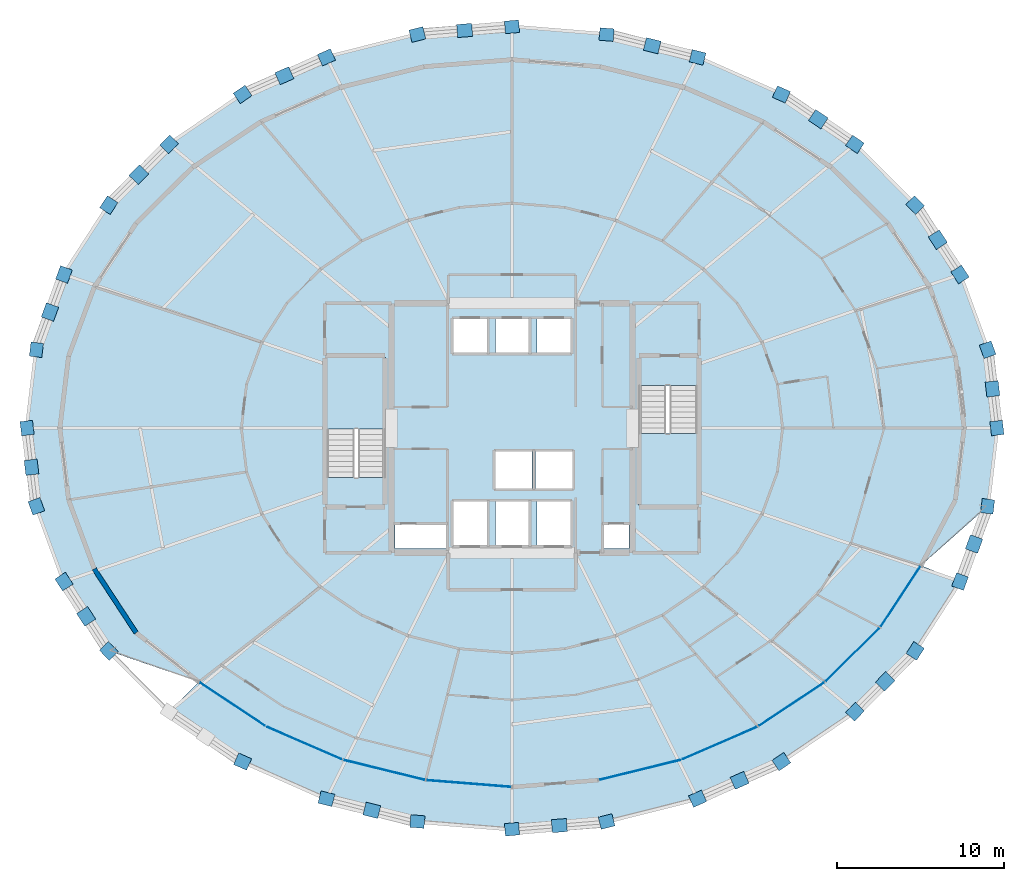
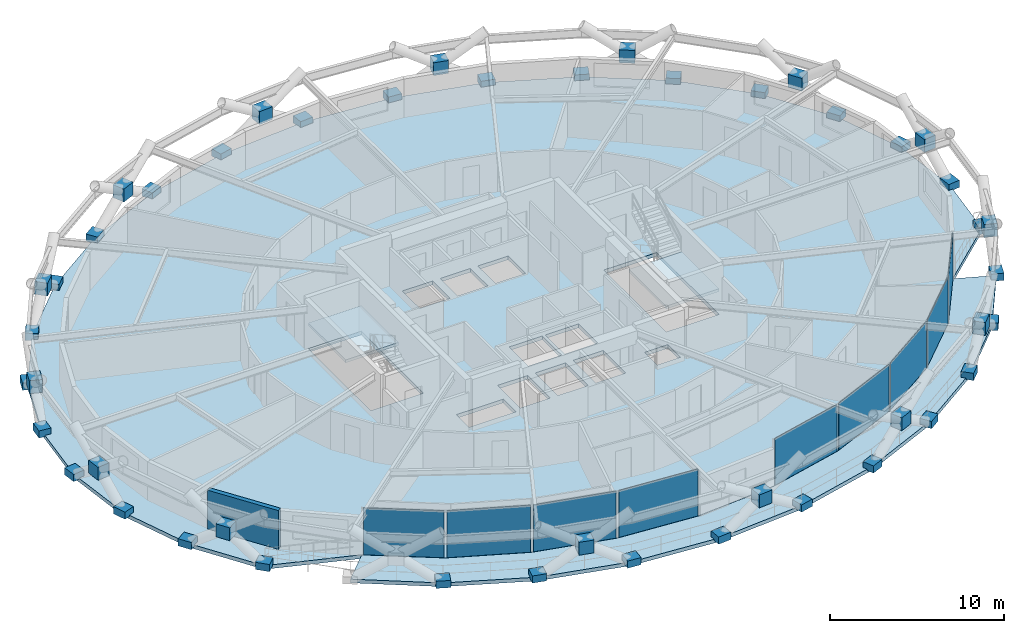
# One storey, part 14 of 21: 55 plates, 4 slabs, 1 wall, 4 elements without a shape of their own.
"""IFC4 building model written with IfcOpenShell, lengths in metres."""

from ifc_helpers import new_model, si_unit, direction, frame, frame_2d, origin, origin_2d, place, context, subcontext, project, spatial, polyline, rectangle, outline, extrude, material, layer, layer_set, type_object, element, aggregate, save


model = new_model("IFC4")

# Units and contexts
model_context = context("Model", 3, precision=1e-05, world=origin(), true_north=direction((0.0, 1.0)))
body_context = subcontext(model_context, "Body", "Model", "MODEL_VIEW")
ifc_project = project(units=[si_unit("LENGTHUNIT", "METRE"), si_unit("AREAUNIT", "SQUARE_METRE"), si_unit("VOLUMEUNIT", "CUBIC_METRE"), si_unit("PLANEANGLEUNIT", "RADIAN"), si_unit("MASSUNIT", "GRAM", prefix="KILO")], contexts=[model_context])

# Site, building, storey
site_placement = place(None, origin())
site = spatial("IfcSite", under=ifc_project, at=site_placement, CompositionType="ELEMENT")
building_placement = place(site_placement, origin())
building = spatial("IfcBuilding", under=site, at=building_placement, Name="Veldorina Hangang Commons", CompositionType="ELEMENT")
storey_placement = place(building_placement, frame((0.0, 0.0, 73.60009765625)))
storey = spatial("IfcBuildingStorey", under=building, at=storey_placement, Name="L18", CompositionType="ELEMENT", Elevation=73.60009765625)

# Curtain wall, plates
ifc_material_1 = material(Name="Glass Low-E Triple IGU", Category="glass")
ifc_layer_1 = layer(ifc_material_1, 0.179931640625)
ifc_layer_set_1 = layer_set([ifc_layer_1], Name="Glass Low-E Triple IGU")
curtain_wall_type = type_object("IfcCurtainWallType", Name="CW-SYS-Z1", PredefinedType="NOTDEFINED", material=ifc_layer_set_1)
curtain_wall_1_placement = place(storey_placement, origin())
curtain_wall_1 = element("IfcCurtainWall", 1, at=curtain_wall_1_placement, inside=storey, type_object=curtain_wall_type, Name="L18 unitised curtain wall CW-L18-R1", PredefinedType="NOTDEFINED")
ifc_layer_2 = layer(ifc_material_1, 0.0400390625)
ifc_layer_set_2 = layer_set([ifc_layer_2], Name="Glass Low-E Triple IGU")
plate_type_1 = type_object("IfcPlateType", Name="CW-PNL-VIS", PredefinedType="CURTAIN_PANEL", material=ifc_layer_set_2)
plate_1_placement = place(storey_placement, frame((15.305908203125, 7.504638671875, 0.014892578125), z_axis=(0.0, 0.0, 1.0), x_axis=(0.832505690486, -0.554016493716, 0.0)))
plate_1 = element("IfcPlate", 2, at=plate_1_placement, type_object=plate_type_1, Name="CW-L18-R1 facet 1 glazed vision panel", PredefinedType="CURTAIN_PANEL", context=body_context, shape_type="SweptSolid", body=[
    extrude(rectangle(XDim=4.63330078125, YDim=0.0400390625, at=origin_2d()), origin(), (0.0, 0.0, 1.0), 3.27001953125),
])
plate_2_placement = place(storey_placement, frame((19.59521484375, 5.1806640625, 0.014892578125), z_axis=(0.0, 0.0, 1.0), x_axis=(0.917518791807, -0.397692427236, 0.0)))
plate_2 = element("IfcPlate", 3, at=plate_2_placement, type_object=plate_type_1, Name="CW-L18-R1 facet 2 glazed vision panel", PredefinedType="CURTAIN_PANEL", context=body_context, shape_type="SweptSolid", body=[
    extrude(rectangle(XDim=4.802490234375, YDim=0.0400390625, at=origin_2d()), origin(), (0.0, 0.0, 1.0), 3.27001953125),
])
plate_3_placement = place(storey_placement, frame((24.361083984375, 3.57958984375, 0.014892578125), z_axis=(0.0, 0.0, 1.0), x_axis=(0.971050956862, -0.238872432853, 0.0)))
plate_3 = element("IfcPlate", 4, at=plate_3_placement, type_object=plate_type_1, Name="CW-L18-R1 facet 3 glazed vision panel", PredefinedType="CURTAIN_PANEL", context=body_context, shape_type="SweptSolid", body=[
    extrude(rectangle(XDim=4.92822265625, YDim=0.0400390625, at=origin_2d()), origin(), (0.0, 0.0, 1.0), 3.27001953125),
])
plate_4_placement = place(storey_placement, frame((29.420654296875, 2.763671875, 0.014892578125), z_axis=(0.0, 0.0, 1.0), x_axis=(0.996826293951, -0.079607409749, 0.0)))
plate_4 = element("IfcPlate", 5, at=plate_4_placement, type_object=plate_type_1, Name="CW-L18-R1 facet 4 glazed vision panel", PredefinedType="CURTAIN_PANEL", context=body_context, shape_type="SweptSolid", body=[
    extrude(rectangle(XDim=4.9951171875, YDim=0.0400390625, at=origin_2d()), origin(), (0.0, 0.0, 1.0), 3.27001953125),
])
aggregate(curtain_wall_1, [plate_1, plate_2, plate_3, plate_4])

curtain_wall_2_placement = place(storey_placement, origin())
curtain_wall_2 = element("IfcCurtainWall", 6, at=curtain_wall_2_placement, inside=storey, type_object=curtain_wall_type, Name="L18 unitised curtain wall CW-L18-R2", PredefinedType="NOTDEFINED")
plate_5_placement = place(storey_placement, frame((39.638916015625, 3.57958984375, 0.014892578125), z_axis=(0.0, 0.0, 1.0), x_axis=(0.971050956862, 0.238872432853, 0.0)))
plate_5 = element("IfcPlate", 7, at=plate_5_placement, type_object=plate_type_1, Name="CW-L18-R2 facet 1 glazed vision panel", PredefinedType="CURTAIN_PANEL", context=body_context, shape_type="SweptSolid", body=[
    extrude(rectangle(XDim=4.92822265625, YDim=0.0400390625, at=origin_2d()), origin(), (0.0, 0.0, 1.0), 3.27001953125),
])
plate_6_placement = place(storey_placement, frame((44.40478515625, 5.1806640625, 0.014892578125), z_axis=(0.0, 0.0, 1.0), x_axis=(0.917518791807, 0.397692427236, 0.0)))
plate_6 = element("IfcPlate", 8, at=plate_6_placement, type_object=plate_type_1, Name="CW-L18-R2 facet 2 glazed vision panel", PredefinedType="CURTAIN_PANEL", context=body_context, shape_type="SweptSolid", body=[
    extrude(rectangle(XDim=4.802490234375, YDim=0.0400390625, at=origin_2d()), origin(), (0.0, 0.0, 1.0), 3.27001953125),
])
plate_7_placement = place(storey_placement, frame((48.694091796875, 7.504638671875, 0.014892578125), z_axis=(0.0, 0.0, 1.0), x_axis=(0.832505690486, 0.554016493716, 0.0)))
plate_7 = element("IfcPlate", 9, at=plate_7_placement, type_object=plate_type_1, Name="CW-L18-R2 facet 3 glazed vision panel", PredefinedType="CURTAIN_PANEL", context=body_context, shape_type="SweptSolid", body=[
    extrude(rectangle(XDim=4.63330078125, YDim=0.0400390625, at=origin_2d()), origin(), (0.0, 0.0, 1.0), 3.27001953125),
])
plate_8_placement = place(storey_placement, frame((52.341796875, 10.462646484375, 0.014892578125), z_axis=(0.0, 0.0, 1.0), x_axis=(0.711339432581, 0.702848640644, 0.0)))
plate_8 = element("IfcPlate", 10, at=plate_8_placement, type_object=plate_type_1, Name="CW-L18-R2 facet 4 glazed vision panel", PredefinedType="CURTAIN_PANEL", context=body_context, shape_type="SweptSolid", body=[
    extrude(rectangle(XDim=4.443115234375, YDim=0.0400390625, at=origin_2d()), origin(), (0.0, 0.0, 1.0), 3.27001953125),
])
plate_9_placement = place(storey_placement, frame((55.2080078125, 13.940673828125, 0.014892578125), z_axis=(0.0, 0.0, 1.0), x_axis=(0.550335023262, 0.834943927561, 0.0)))
plate_9 = element("IfcPlate", 11, at=plate_9_placement, type_object=plate_type_1, Name="CW-L18-R2 facet 5 glazed vision panel", PredefinedType="CURTAIN_PANEL", context=body_context, shape_type="SweptSolid", body=[
    extrude(rectangle(XDim=4.260009765625, YDim=0.0400390625, at=origin_2d()), origin(), (0.0, 0.0, 1.0), 3.27001953125),
])
aggregate(curtain_wall_2, [plate_5, plate_6, plate_7, plate_8, plate_9])

# Plates
ifc_material_2 = material(Name="Steel SM460-TMC", Category="steel")
ifc_layer_3 = layer(ifc_material_2, 0.035888671875)
ifc_layer_set_3 = layer_set([ifc_layer_3], Name="Steel SM460-TMC")
plate_type_2 = type_object("IfcPlateType", Name="PL-STAR-36", PredefinedType="USERDEFINED", material=ifc_layer_set_3)
plate_10_placement = place(storey_placement, frame((60.96240234375, 24.0, -0.090087890625), z_axis=(0.0, 0.0, 1.0), x_axis=(-0.118213330433, 0.992988221737, 0.0)))
element("IfcPlate", 12, at=plate_10_placement, inside=storey, type_object=plate_type_2, Name="L18 diagrid star-node gusset plate 00", ObjectType="GUSSET PLATE", PredefinedType="USERDEFINED", context=body_context, shape_type="SweptSolid", body=[
    extrude(rectangle(XDim=0.85009765625, YDim=0.75, at=origin_2d()), origin(), (0.0, 0.0, 1.0), 0.5),
])
plate_11_placement = place(storey_placement, frame((60.6982421875, 26.3388671875, 1.348876953125), z_axis=(0.0, 0.0, 1.0), x_axis=(-0.118213330433, 0.992988221737, 0.0)))
element("IfcPlate", 13, at=plate_11_placement, inside=storey, type_object=plate_type_2, Name="L18 diagrid X-crossing star-node gusset plate 00", ObjectType="GUSSET PLATE", PredefinedType="USERDEFINED", context=body_context, shape_type="SweptSolid", body=[
    extrude(rectangle(XDim=0.89990234375, YDim=0.780029296875, at=origin_2d()), origin(), (0.0, 0.0, 1.0), 0.89990234375),
])
for number, where, z_axis, x_axis, name in (
    (14, (60.406005859375, 28.6748046875, -0.090087890625), (0.0, 0.0, 1.0), (-0.344233290465, 0.938884147132, 0.0), "L18 diagrid star-node gusset plate 01"),
    (15, (58.7578125, 33.169921875, -0.090087890625), (0.0, 0.0, 1.0), (-0.542646794047, 0.83996098535, 0.0), "L18 diagrid star-node gusset plate 02"),
):
    element("IfcPlate", number, at=place(storey_placement, frame(where, z_axis=z_axis, x_axis=x_axis)), inside=storey, type_object=plate_type_2, Name=name, ObjectType="GUSSET PLATE", PredefinedType="USERDEFINED", context=body_context, shape_type="SweptSolid", body=[
        extrude(rectangle(XDim=0.85009765625, YDim=0.75, at=origin_2d()), origin(), (0.0, 0.0, 1.0), 0.5),
    ])
plate_12_placement = place(storey_placement, frame((57.431884765625, 35.248046875, 1.348876953125), z_axis=(0.0, 0.0, 1.0), x_axis=(-0.542646794047, 0.83996098535, 0.0)))
element("IfcPlate", 16, at=plate_12_placement, inside=storey, type_object=plate_type_2, Name="L18 diagrid X-crossing star-node gusset plate 02", ObjectType="GUSSET PLATE", PredefinedType="USERDEFINED", context=body_context, shape_type="SweptSolid", body=[
    extrude(rectangle(XDim=0.89990234375, YDim=0.780029296875, at=origin_2d()), origin(), (0.0, 0.0, 1.0), 0.89990234375),
])
for number, where, z_axis, x_axis, name in (
    (17, (56.081298828125, 37.312744140625, -0.090087890625), (0.0, 0.0, 1.0), (-0.704237801026, 0.709964167832, 0.0), "L18 diagrid star-node gusset plate 03"),
    (18, (52.4794921875, 40.944091796875, -0.090087890625), (0.0, 0.0, 1.0), (-0.827315946643, 0.56173688185, 0.0), "L18 diagrid star-node gusset plate 04"),
):
    element("IfcPlate", number, at=place(storey_placement, frame(where, z_axis=z_axis, x_axis=x_axis)), inside=storey, type_object=plate_type_2, Name=name, ObjectType="GUSSET PLATE", PredefinedType="USERDEFINED", context=body_context, shape_type="SweptSolid", body=[
        extrude(rectangle(XDim=0.85009765625, YDim=0.75, at=origin_2d()), origin(), (0.0, 0.0, 1.0), 0.5),
    ])
plate_13_placement = place(storey_placement, frame((50.2939453125, 42.445068359375, 1.34912109375), z_axis=(0.0, 0.0, 1.0), x_axis=(-0.827315946643, 0.56173688185, 0.0)))
element("IfcPlate", 19, at=plate_13_placement, inside=storey, type_object=plate_type_2, Name="L18 diagrid X-crossing star-node gusset plate 04", ObjectType="GUSSET PLATE", PredefinedType="USERDEFINED", context=body_context, shape_type="SweptSolid", body=[
    extrude(rectangle(XDim=0.89990234375, YDim=0.780029296875, at=origin_2d()), origin(), (0.0, 0.0, 1.0), 0.89990234375),
])
for number, where, z_axis, x_axis, name in (
    (20, (48.090576171875, 43.924072265625, -0.090087890625), (0.0, 0.0, 1.0), (-0.914557753084, 0.404455332855, 0.0), "L18 diagrid star-node gusset plate 05"),
    (21, (43.08349609375, 46.138427734375, -0.090087890625), (0.0, 0.0, 1.0), (-0.969918768135, 0.243428805238, 0.0), "L18 diagrid star-node gusset plate 06"),
):
    element("IfcPlate", number, at=place(storey_placement, frame(where, z_axis=z_axis, x_axis=x_axis)), inside=storey, type_object=plate_type_2, Name=name, ObjectType="GUSSET PLATE", PredefinedType="USERDEFINED", context=body_context, shape_type="SweptSolid", body=[
        extrude(rectangle(XDim=0.85009765625, YDim=0.75, at=origin_2d()), origin(), (0.0, 0.0, 1.0), 0.5),
    ])
plate_14_placement = place(storey_placement, frame((40.370849609375, 46.833740234375, 1.34912109375), z_axis=(0.0, 0.0, 1.0), x_axis=(-0.969918768135, 0.243428805238, 0.0)))
element("IfcPlate", 22, at=plate_14_placement, inside=storey, type_object=plate_type_2, Name="L18 diagrid X-crossing star-node gusset plate 06", ObjectType="GUSSET PLATE", PredefinedType="USERDEFINED", context=body_context, shape_type="SweptSolid", body=[
    extrude(rectangle(XDim=0.89990234375, YDim=0.780029296875, at=origin_2d()), origin(), (0.0, 0.0, 1.0), 0.89990234375),
])
for number, where, z_axis, x_axis, name in (
    (23, (37.650390625, 47.501953125, -0.090087890625), (0.0, 0.0, 1.0), (-0.996697183107, 0.081207913319, 0.0), "L18 diagrid star-node gusset plate 07"),
    (24, (32.0, 47.96240234375, -0.090087890625), (0.0, 0.0, 1.0), (-0.996697183107, -0.081207913319, 0.0), "L18 diagrid star-node gusset plate 08"),
):
    element("IfcPlate", number, at=place(storey_placement, frame(where, z_axis=z_axis, x_axis=x_axis)), inside=storey, type_object=plate_type_2, Name=name, ObjectType="GUSSET PLATE", PredefinedType="USERDEFINED", context=body_context, shape_type="SweptSolid", body=[
        extrude(rectangle(XDim=0.85009765625, YDim=0.75, at=origin_2d()), origin(), (0.0, 0.0, 1.0), 0.5),
    ])
plate_15_placement = place(storey_placement, frame((29.173583984375, 47.74609375, 1.34912109375), z_axis=(0.0, 0.0, 1.0), x_axis=(-0.996697183107, -0.081207913319, 0.0)))
element("IfcPlate", 25, at=plate_15_placement, inside=storey, type_object=plate_type_2, Name="L18 diagrid X-crossing star-node gusset plate 08", ObjectType="GUSSET PLATE", PredefinedType="USERDEFINED", context=body_context, shape_type="SweptSolid", body=[
    extrude(rectangle(XDim=0.89990234375, YDim=0.780029296875, at=origin_2d()), origin(), (0.0, 0.0, 1.0), 0.89990234375),
])
for number, where, z_axis, x_axis, name in (
    (26, (26.349609375, 47.501953125, -0.090087890625), (0.0, 0.0, 1.0), (-0.969918768135, -0.243428805238, 0.0), "L18 diagrid star-node gusset plate 09"),
    (27, (20.91650390625, 46.138427734375, -0.090087890625), (0.0, 0.0, 1.0), (-0.914557753084, -0.404455332855, 0.0), "L18 diagrid star-node gusset plate 10"),
):
    element("IfcPlate", number, at=place(storey_placement, frame(where, z_axis=z_axis, x_axis=x_axis)), inside=storey, type_object=plate_type_2, Name=name, ObjectType="GUSSET PLATE", PredefinedType="USERDEFINED", context=body_context, shape_type="SweptSolid", body=[
        extrude(rectangle(XDim=0.85009765625, YDim=0.75, at=origin_2d()), origin(), (0.0, 0.0, 1.0), 0.5),
    ])
plate_16_placement = place(storey_placement, frame((18.406494140625, 45.04345703125, 1.34912109375), z_axis=(0.0, 0.0, 1.0), x_axis=(-0.914557753084, -0.404455332855, 0.0)))
element("IfcPlate", 28, at=plate_16_placement, inside=storey, type_object=plate_type_2, Name="L18 diagrid X-crossing star-node gusset plate 10", ObjectType="GUSSET PLATE", PredefinedType="USERDEFINED", context=body_context, shape_type="SweptSolid", body=[
    extrude(rectangle(XDim=0.89990234375, YDim=0.780029296875, at=origin_2d()), origin(), (0.0, 0.0, 1.0), 0.89990234375),
])
for number, where, z_axis, x_axis, name in (
    (29, (15.909423828125, 43.924072265625, -0.090087890625), (0.0, 0.0, 1.0), (-0.827315946643, -0.56173688185, 0.0), "L18 diagrid star-node gusset plate 11"),
    (30, (11.5205078125, 40.944091796875, -0.090087890625), (0.0, 0.0, 1.0), (-0.704237801026, -0.709964167832, 0.0), "L18 diagrid star-node gusset plate 12"),
):
    element("IfcPlate", number, at=place(storey_placement, frame(where, z_axis=z_axis, x_axis=x_axis)), inside=storey, type_object=plate_type_2, Name=name, ObjectType="GUSSET PLATE", PredefinedType="USERDEFINED", context=body_context, shape_type="SweptSolid", body=[
        extrude(rectangle(XDim=0.85009765625, YDim=0.75, at=origin_2d()), origin(), (0.0, 0.0, 1.0), 0.5),
    ])
plate_17_placement = place(storey_placement, frame((9.708740234375, 39.13720703125, 1.348876953125), z_axis=(0.0, 0.0, 1.0), x_axis=(-0.704237801026, -0.709964167832, 0.0)))
element("IfcPlate", 31, at=plate_17_placement, inside=storey, type_object=plate_type_2, Name="L18 diagrid X-crossing star-node gusset plate 12", ObjectType="GUSSET PLATE", PredefinedType="USERDEFINED", context=body_context, shape_type="SweptSolid", body=[
    extrude(rectangle(XDim=0.89990234375, YDim=0.780029296875, at=origin_2d()), origin(), (0.0, 0.0, 1.0), 0.89990234375),
])
for number, where, z_axis, x_axis, name in (
    (32, (7.918701171875, 37.312744140625, -0.090087890625), (0.0, 0.0, 1.0), (-0.542646794047, -0.83996098535, 0.0), "L18 diagrid star-node gusset plate 13"),
    (33, (5.2421875, 33.169921875, -0.090087890625), (0.0, 0.0, 1.0), (-0.344233290465, -0.938884147132, 0.0), "L18 diagrid star-node gusset plate 14"),
):
    element("IfcPlate", number, at=place(storey_placement, frame(where, z_axis=z_axis, x_axis=x_axis)), inside=storey, type_object=plate_type_2, Name=name, ObjectType="GUSSET PLATE", PredefinedType="USERDEFINED", context=body_context, shape_type="SweptSolid", body=[
        extrude(rectangle(XDim=0.85009765625, YDim=0.75, at=origin_2d()), origin(), (0.0, 0.0, 1.0), 0.5),
    ])
plate_18_placement = place(storey_placement, frame((4.40478515625, 30.926513671875, 1.348876953125), z_axis=(0.0, 0.0, 1.0), x_axis=(-0.344233290465, -0.938884147132, 0.0)))
element("IfcPlate", 34, at=plate_18_placement, inside=storey, type_object=plate_type_2, Name="L18 diagrid X-crossing star-node gusset plate 14", ObjectType="GUSSET PLATE", PredefinedType="USERDEFINED", context=body_context, shape_type="SweptSolid", body=[
    extrude(rectangle(XDim=0.89990234375, YDim=0.780029296875, at=origin_2d()), origin(), (0.0, 0.0, 1.0), 0.89990234375),
])
for number, where, z_axis, x_axis, name in (
    (35, (3.593994140625, 28.6748046875, -0.090087890625), (0.0, 0.0, 1.0), (-0.118213330433, -0.992988221737, 0.0), "L18 diagrid star-node gusset plate 15"),
    (36, (3.03759765625, 24.0, -0.090087890625), (0.0, 0.0, 1.0), (0.118213330433, -0.992988221737, 0.0), "L18 diagrid star-node gusset plate 16"),
):
    element("IfcPlate", number, at=place(storey_placement, frame(where, z_axis=z_axis, x_axis=x_axis)), inside=storey, type_object=plate_type_2, Name=name, ObjectType="GUSSET PLATE", PredefinedType="USERDEFINED", context=body_context, shape_type="SweptSolid", body=[
        extrude(rectangle(XDim=0.85009765625, YDim=0.75, at=origin_2d()), origin(), (0.0, 0.0, 1.0), 0.5),
    ])
plate_19_placement = place(storey_placement, frame((3.3017578125, 21.6611328125, 1.348876953125), z_axis=(0.0, 0.0, 1.0), x_axis=(0.118213330433, -0.992988221737, 0.0)))
element("IfcPlate", 37, at=plate_19_placement, inside=storey, type_object=plate_type_2, Name="L18 diagrid X-crossing star-node gusset plate 16", ObjectType="GUSSET PLATE", PredefinedType="USERDEFINED", context=body_context, shape_type="SweptSolid", body=[
    extrude(rectangle(XDim=0.89990234375, YDim=0.780029296875, at=origin_2d()), origin(), (0.0, 0.0, 1.0), 0.89990234375),
])
for number, where, z_axis, x_axis, name in (
    (38, (3.593994140625, 19.3251953125, -0.090087890625), (0.0, 0.0, 1.0), (0.344233290465, -0.938884147132, 0.0), "L18 diagrid star-node gusset plate 17"),
    (39, (5.2421875, 14.830078125, -0.090087890625), (0.0, 0.0, 1.0), (0.542646794047, -0.83996098535, 0.0), "L18 diagrid star-node gusset plate 18"),
):
    element("IfcPlate", number, at=place(storey_placement, frame(where, z_axis=z_axis, x_axis=x_axis)), inside=storey, type_object=plate_type_2, Name=name, ObjectType="GUSSET PLATE", PredefinedType="USERDEFINED", context=body_context, shape_type="SweptSolid", body=[
        extrude(rectangle(XDim=0.85009765625, YDim=0.75, at=origin_2d()), origin(), (0.0, 0.0, 1.0), 0.5),
    ])
plate_20_placement = place(storey_placement, frame((6.568115234375, 12.751953125, 1.348876953125), z_axis=(0.0, 0.0, 1.0), x_axis=(0.542646794047, -0.83996098535, 0.0)))
element("IfcPlate", 40, at=plate_20_placement, inside=storey, type_object=plate_type_2, Name="L18 diagrid X-crossing star-node gusset plate 18", ObjectType="GUSSET PLATE", PredefinedType="USERDEFINED", context=body_context, shape_type="SweptSolid", body=[
    extrude(rectangle(XDim=0.89990234375, YDim=0.780029296875, at=origin_2d()), origin(), (0.0, 0.0, 1.0), 0.89990234375),
])
for number, where, z_axis, x_axis, name in (
    (41, (7.918701171875, 10.687255859375, -0.090087890625), (0.0, 0.0, 1.0), (0.704237801026, -0.709964167832, 0.0), "L18 diagrid star-node gusset plate 19"),
    (42, (15.909423828125, 4.075927734375, -0.090087890625), (0.0, 0.0, 1.0), (0.914557753084, -0.404455332855, 0.0), "L18 diagrid star-node gusset plate 21"),
    (43, (20.91650390625, 1.861572265625, -0.090087890625), (0.0, 0.0, 1.0), (0.969918768135, -0.243428805238, 0.0), "L18 diagrid star-node gusset plate 22"),
):
    element("IfcPlate", number, at=place(storey_placement, frame(where, z_axis=z_axis, x_axis=x_axis)), inside=storey, type_object=plate_type_2, Name=name, ObjectType="GUSSET PLATE", PredefinedType="USERDEFINED", context=body_context, shape_type="SweptSolid", body=[
        extrude(rectangle(XDim=0.85009765625, YDim=0.75, at=origin_2d()), origin(), (0.0, 0.0, 1.0), 0.5),
    ])
plate_21_placement = place(storey_placement, frame((23.629150390625, 1.166259765625, 1.34912109375), z_axis=(0.0, 0.0, 1.0), x_axis=(0.969918768135, -0.243428805238, 0.0)))
element("IfcPlate", 44, at=plate_21_placement, inside=storey, type_object=plate_type_2, Name="L18 diagrid X-crossing star-node gusset plate 22", ObjectType="GUSSET PLATE", PredefinedType="USERDEFINED", context=body_context, shape_type="SweptSolid", body=[
    extrude(rectangle(XDim=0.89990234375, YDim=0.780029296875, at=origin_2d()), origin(), (0.0, 0.0, 1.0), 0.89990234375),
])
for number, where, z_axis, x_axis, name in (
    (45, (26.349609375, 0.498046875, -0.090087890625), (0.0, 0.0, 1.0), (0.996697183107, -0.081207913319, 0.0), "L18 diagrid star-node gusset plate 23"),
    (46, (32.0, 0.03759765625, -0.090087890625), (0.0, 0.0, 1.0), (0.996697183107, 0.081207913319, 0.0), "L18 diagrid star-node gusset plate 24"),
):
    element("IfcPlate", number, at=place(storey_placement, frame(where, z_axis=z_axis, x_axis=x_axis)), inside=storey, type_object=plate_type_2, Name=name, ObjectType="GUSSET PLATE", PredefinedType="USERDEFINED", context=body_context, shape_type="SweptSolid", body=[
        extrude(rectangle(XDim=0.85009765625, YDim=0.75, at=origin_2d()), origin(), (0.0, 0.0, 1.0), 0.5),
    ])
plate_22_placement = place(storey_placement, frame((34.826416015625, 0.25390625, 1.34912109375), z_axis=(0.0, 0.0, 1.0), x_axis=(0.996697183107, 0.081207913319, 0.0)))
element("IfcPlate", 47, at=plate_22_placement, inside=storey, type_object=plate_type_2, Name="L18 diagrid X-crossing star-node gusset plate 24", ObjectType="GUSSET PLATE", PredefinedType="USERDEFINED", context=body_context, shape_type="SweptSolid", body=[
    extrude(rectangle(XDim=0.89990234375, YDim=0.780029296875, at=origin_2d()), origin(), (0.0, 0.0, 1.0), 0.89990234375),
])
for number, where, z_axis, x_axis, name in (
    (48, (37.650390625, 0.498046875, -0.090087890625), (0.0, 0.0, 1.0), (0.969918768135, 0.243428805238, 0.0), "L18 diagrid star-node gusset plate 25"),
    (49, (43.08349609375, 1.861572265625, -0.090087890625), (0.0, 0.0, 1.0), (0.914557753084, 0.404455332855, 0.0), "L18 diagrid star-node gusset plate 26"),
):
    element("IfcPlate", number, at=place(storey_placement, frame(where, z_axis=z_axis, x_axis=x_axis)), inside=storey, type_object=plate_type_2, Name=name, ObjectType="GUSSET PLATE", PredefinedType="USERDEFINED", context=body_context, shape_type="SweptSolid", body=[
        extrude(rectangle(XDim=0.85009765625, YDim=0.75, at=origin_2d()), origin(), (0.0, 0.0, 1.0), 0.5),
    ])
plate_23_placement = place(storey_placement, frame((45.593505859375, 2.95654296875, 1.34912109375), z_axis=(0.0, 0.0, 1.0), x_axis=(0.914557753084, 0.404455332855, 0.0)))
element("IfcPlate", 50, at=plate_23_placement, inside=storey, type_object=plate_type_2, Name="L18 diagrid X-crossing star-node gusset plate 26", ObjectType="GUSSET PLATE", PredefinedType="USERDEFINED", context=body_context, shape_type="SweptSolid", body=[
    extrude(rectangle(XDim=0.89990234375, YDim=0.780029296875, at=origin_2d()), origin(), (0.0, 0.0, 1.0), 0.89990234375),
])
for number, where, z_axis, x_axis, name in (
    (51, (48.090576171875, 4.075927734375, -0.090087890625), (0.0, 0.0, 1.0), (0.827315946643, 0.56173688185, 0.0), "L18 diagrid star-node gusset plate 27"),
    (52, (52.4794921875, 7.055908203125, -0.090087890625), (0.0, 0.0, 1.0), (0.704237801026, 0.709964167832, 0.0), "L18 diagrid star-node gusset plate 28"),
):
    element("IfcPlate", number, at=place(storey_placement, frame(where, z_axis=z_axis, x_axis=x_axis)), inside=storey, type_object=plate_type_2, Name=name, ObjectType="GUSSET PLATE", PredefinedType="USERDEFINED", context=body_context, shape_type="SweptSolid", body=[
        extrude(rectangle(XDim=0.85009765625, YDim=0.75, at=origin_2d()), origin(), (0.0, 0.0, 1.0), 0.5),
    ])
plate_24_placement = place(storey_placement, frame((54.291259765625, 8.86279296875, 1.348876953125), z_axis=(0.0, 0.0, 1.0), x_axis=(0.704237801026, 0.709964167832, 0.0)))
element("IfcPlate", 53, at=plate_24_placement, inside=storey, type_object=plate_type_2, Name="L18 diagrid X-crossing star-node gusset plate 28", ObjectType="GUSSET PLATE", PredefinedType="USERDEFINED", context=body_context, shape_type="SweptSolid", body=[
    extrude(rectangle(XDim=0.89990234375, YDim=0.780029296875, at=origin_2d()), origin(), (0.0, 0.0, 1.0), 0.89990234375),
])
for number, where, z_axis, x_axis, name in (
    (54, (56.081298828125, 10.687255859375, -0.090087890625), (0.0, 0.0, 1.0), (0.542646794047, 0.83996098535, 0.0), "L18 diagrid star-node gusset plate 29"),
    (55, (58.7578125, 14.830078125, -0.090087890625), (0.0, 0.0, 1.0), (0.344233290465, 0.938884147132, 0.0), "L18 diagrid star-node gusset plate 30"),
):
    element("IfcPlate", number, at=place(storey_placement, frame(where, z_axis=z_axis, x_axis=x_axis)), inside=storey, type_object=plate_type_2, Name=name, ObjectType="GUSSET PLATE", PredefinedType="USERDEFINED", context=body_context, shape_type="SweptSolid", body=[
        extrude(rectangle(XDim=0.85009765625, YDim=0.75, at=origin_2d()), origin(), (0.0, 0.0, 1.0), 0.5),
    ])
plate_25_placement = place(storey_placement, frame((59.59521484375, 17.073486328125, 1.348876953125), z_axis=(0.0, 0.0, 1.0), x_axis=(0.344233290465, 0.938884147132, 0.0)))
element("IfcPlate", 56, at=plate_25_placement, inside=storey, type_object=plate_type_2, Name="L18 diagrid X-crossing star-node gusset plate 30", ObjectType="GUSSET PLATE", PredefinedType="USERDEFINED", context=body_context, shape_type="SweptSolid", body=[
    extrude(rectangle(XDim=0.89990234375, YDim=0.780029296875, at=origin_2d()), origin(), (0.0, 0.0, 1.0), 0.89990234375),
])
plate_26_placement = place(storey_placement, frame((60.406005859375, 19.3251953125, -0.090087890625), z_axis=(0.0, 0.0, 1.0), x_axis=(0.118213330433, 0.992988221737, 0.0)))
element("IfcPlate", 57, at=plate_26_placement, inside=storey, type_object=plate_type_2, Name="L18 diagrid star-node gusset plate 31", ObjectType="GUSSET PLATE", PredefinedType="USERDEFINED", context=body_context, shape_type="SweptSolid", body=[
    extrude(rectangle(XDim=0.85009765625, YDim=0.75, at=origin_2d()), origin(), (0.0, 0.0, 1.0), 0.5),
])

# Slabs
ifc_material_3 = material(Name="Concrete C40/50", Category="concrete")
ifc_layer_4 = layer(ifc_material_3, 0.260009765625)
ifc_layer_set_4 = layer_set([ifc_layer_4], Name="Concrete C40/50")
slab_type_1 = type_object("IfcSlabType", Name="SL-FLR-260", PredefinedType="FLOOR", material=ifc_layer_set_4)
slab_1_placement = place(storey_placement, frame((0.0, 0.0, -0.260009765625)))
element("IfcSlab", 58, at=slab_1_placement, inside=storey, type_object=slab_type_1, Name="L18 tower structural floor slab", PredefinedType="FLOOR", context=body_context, shape_type="SweptSolid", body=[
    extrude(outline(polyline([(60.96240234375, 24.0), (60.406005859375, 28.6748046875), (58.7578125, 33.169921875), (56.081298828125, 37.312744140625), (52.4794921875, 40.944091796875), (48.090576171875, 43.924072265625), (43.08349609375, 46.138427734375), (37.650390625, 47.501953125), (32.0, 47.96240234375), (26.349609375, 47.501953125), (20.91650390625, 46.138427734375), (15.909423828125, 43.924072265625), (11.5205078125, 40.944091796875), (7.918701171875, 37.312744140625), (5.2421875, 33.169921875), (3.593994140625, 28.6748046875), (3.03759765625, 24.0), (3.593994140625, 19.3251953125), (5.2421875, 14.830078125), (7.918701171875, 10.687255859375), (13.302490234375, 8.837890625), (17.309326171875, 6.17138671875), (21.880859375, 4.189697265625), (26.84130859375, 2.969482421875), (32.0, 2.5576171875), (37.15869140625, 2.969482421875), (42.119140625, 4.189697265625), (46.690673828125, 6.17138671875), (50.697509765625, 8.837890625), (53.986083984375, 12.087158203125), (56.4296875, 15.794189453125), (60.406005859375, 19.3251953125), (60.96240234375, 24.0)]), holes=[polyline([(20.949951171875, 21.05810546875), (20.949951171875, 28.199951171875), (24.449951171875, 28.199951171875), (24.449951171875, 21.05810546875), (20.949951171875, 21.05810546875)]), polyline([(43.050048828125, 26.5419921875), (43.050048828125, 19.39990234375), (39.550048828125, 19.39990234375), (39.550048828125, 26.5419921875), (43.050048828125, 26.5419921875)]), polyline([(28.5, 30.5), (30.5, 30.5), (30.5, 28.5), (28.5, 28.5), (28.5, 30.5)]), polyline([(31.0, 30.5), (33.0, 30.5), (33.0, 28.5), (31.0, 28.5), (31.0, 30.5)]), polyline([(33.5, 30.5), (35.5, 30.5), (35.5, 28.5), (33.5, 28.5), (33.5, 30.5)]), polyline([(31.0, 22.60009765625), (33.199951171875, 22.60009765625), (33.199951171875, 20.39990234375), (31.0, 20.39990234375), (31.0, 22.60009765625)]), polyline([(33.39990234375, 22.60009765625), (35.60009765625, 22.60009765625), (35.60009765625, 20.39990234375), (33.39990234375, 20.39990234375), (33.39990234375, 22.60009765625)]), polyline([(28.5, 19.60009765625), (30.5, 19.60009765625), (30.5, 17.0), (28.5, 17.0), (28.5, 19.60009765625)]), polyline([(31.0, 19.60009765625), (33.0, 19.60009765625), (33.0, 17.0), (31.0, 17.0), (31.0, 19.60009765625)]), polyline([(33.5, 19.60009765625), (35.5, 19.60009765625), (35.5, 17.0), (33.5, 17.0), (33.5, 19.60009765625)]), polyline([(25.0, 18.25), (28.10009765625, 18.25), (28.10009765625, 16.800048828125), (25.0, 16.800048828125), (25.0, 18.25)]), polyline([(37.449951171875, 18.25), (39.0, 18.25), (39.0, 16.800048828125), (37.449951171875, 16.800048828125), (37.449951171875, 18.25)])]), origin(), (0.0, 0.0, 1.0), 0.260009765625),
])
slab_2_placement = place(storey_placement, frame((0.0, 0.0, -0.260009765625)))
element("IfcSlab", 59, at=slab_2_placement, inside=storey, type_object=slab_type_1, Name="L18 sky-garden loggia outdoor slab", PredefinedType="FLOOR", context=body_context, shape_type="SweptSolid", body=[
    extrude(outline(polyline([(58.7578125, 14.830078125), (56.081298828125, 10.687255859375), (52.4794921875, 7.055908203125), (48.090576171875, 4.075927734375), (43.08349609375, 1.861572265625), (37.650390625, 0.498046875), (32.0, 0.03759765625), (26.349609375, 0.498046875), (20.91650390625, 1.861572265625), (15.909423828125, 4.075927734375), (11.5205078125, 7.055908203125), (13.29052734375, 8.826171875), (13.295654296875, 8.82421875), (17.301025390625, 6.15869140625), (17.30224609375, 6.158203125), (17.303466796875, 6.157470703125), (21.875, 4.176025390625), (21.876220703125, 4.175537109375), (21.877197265625, 4.17529296875), (26.837646484375, 2.955078125), (26.8388671875, 2.954833984375), (26.840087890625, 2.95458984375), (31.998779296875, 2.54248046875), (32.0, 2.54248046875), (32.001220703125, 2.54248046875), (37.159912109375, 2.95458984375), (37.1611328125, 2.954833984375), (37.162353515625, 2.955078125), (42.122802734375, 4.17529296875), (42.123779296875, 4.175537109375), (42.125, 4.176025390625), (46.696533203125, 6.157470703125), (46.69775390625, 6.158203125), (46.698974609375, 6.15869140625), (50.705810546875, 8.825439453125), (50.70703125, 8.826416015625), (50.7080078125, 8.8271484375), (53.99658203125, 12.076416015625), (53.997802734375, 12.07763671875), (53.99853515625, 12.078857421875), (56.44091796875, 15.784423828125), (56.445068359375, 15.787841796875), (58.7578125, 14.830078125)])), origin(), (0.0, 0.0, 1.0), 0.260009765625),
])

# Stair, slab
stair_type = type_object("IfcStairType", Name="STR-DOG-1650-20R", PredefinedType="HALF_TURN_STAIR", material=ifc_material_3)
stair_1_placement = place(storey_placement, origin())
stair_1 = element("IfcStair", 60, at=stair_1_placement, inside=storey, type_object=stair_type, Name="L18 Exit stair ST-1", PredefinedType="HALF_TURN_STAIR")
ifc_layer_5 = layer(ifc_material_3, 0.199951171875)
ifc_layer_set_5 = layer_set([ifc_layer_5], Name="Concrete C40/50")
slab_type_2 = type_object("IfcSlabType", Name="SL-LND-200", PredefinedType="LANDING", material=ifc_layer_set_5)
slab_3_placement = place(storey_placement, frame((0.0, 0.0, 1.599853515625)))
slab_3 = element("IfcSlab", 61, at=slab_3_placement, type_object=slab_type_2, Name="ST-1 landing 1", PredefinedType="LANDING", context=body_context, shape_type="SweptSolid", body=[
    extrude(outline(polyline([(24.449951171875, 23.929931640625), (24.449951171875, 28.199951171875), (20.949951171875, 28.199951171875), (20.949951171875, 23.929931640625), (24.449951171875, 23.929931640625)])), origin(), (0.0, 0.0, 1.0), 0.199951171875),
])
aggregate(stair_1, [slab_3])

stair_2_placement = place(storey_placement, origin())
stair_2 = element("IfcStair", 62, at=stair_2_placement, inside=storey, type_object=stair_type, Name="L18 Exit stair ST-2", PredefinedType="HALF_TURN_STAIR")
slab_4_placement = place(storey_placement, frame((0.0, 0.0, 1.599853515625)))
slab_4 = element("IfcSlab", 63, at=slab_4_placement, type_object=slab_type_2, Name="ST-2 landing 1", PredefinedType="LANDING", context=body_context, shape_type="SweptSolid", body=[
    extrude(outline(polyline([(39.550048828125, 23.669921875), (39.550048828125, 19.39990234375), (43.050048828125, 19.39990234375), (43.050048828125, 23.669921875), (39.550048828125, 23.669921875)])), origin(), (0.0, 0.0, 1.0), 0.199951171875),
])
aggregate(stair_2, [slab_4])

# Wall
ifc_material_4 = material(Name="Stone Roman Travertine", Category="masonry")
ifc_layer_6 = layer(ifc_material_4, 0.280029296875)
ifc_layer_set_6 = layer_set([ifc_layer_6], Name="Stone Roman Travertine")
wall_type = type_object("IfcWallType", Name="EW-TRAV-280", PredefinedType="STANDARD", material=ifc_layer_set_6)
wall_placement = place(storey_placement, frame((7.052978515625, 15.580078125, 0.0), z_axis=(0.0, 0.0, 1.0), x_axis=(0.548505219405, -0.836147130765, 0.0)))
element("IfcWall", 64, at=wall_placement, inside=storey, type_object=wall_type, Name="L18 travertine facade wall 18", PredefinedType="STANDARD", context=body_context, shape_type="SweptSolid", body=[
    extrude(rectangle(XDim=4.54931640625, YDim=0.280029296875, at=frame_2d((2.274658203125, 0.0))), origin(), (0.0, 0.0, 1.0), 2.7099609375),
])

save(model, "model.ifc")
